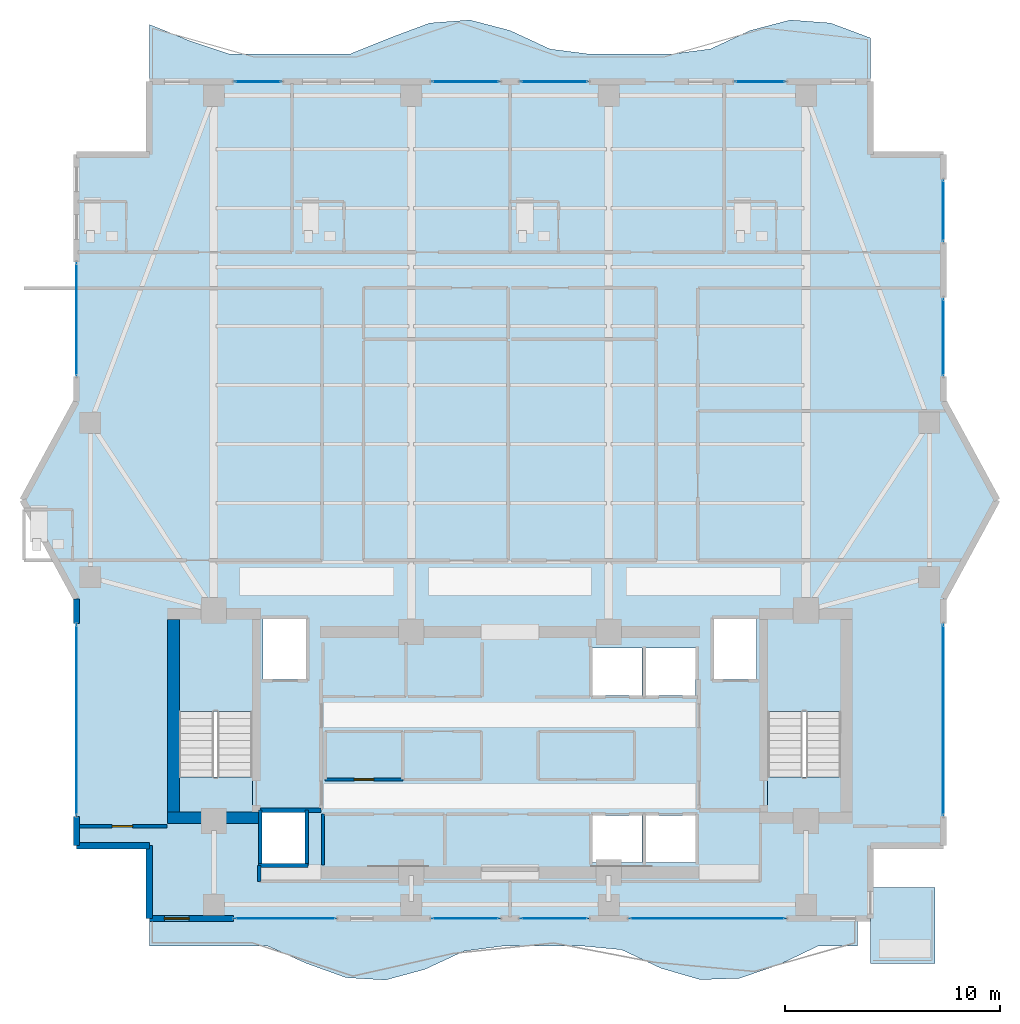
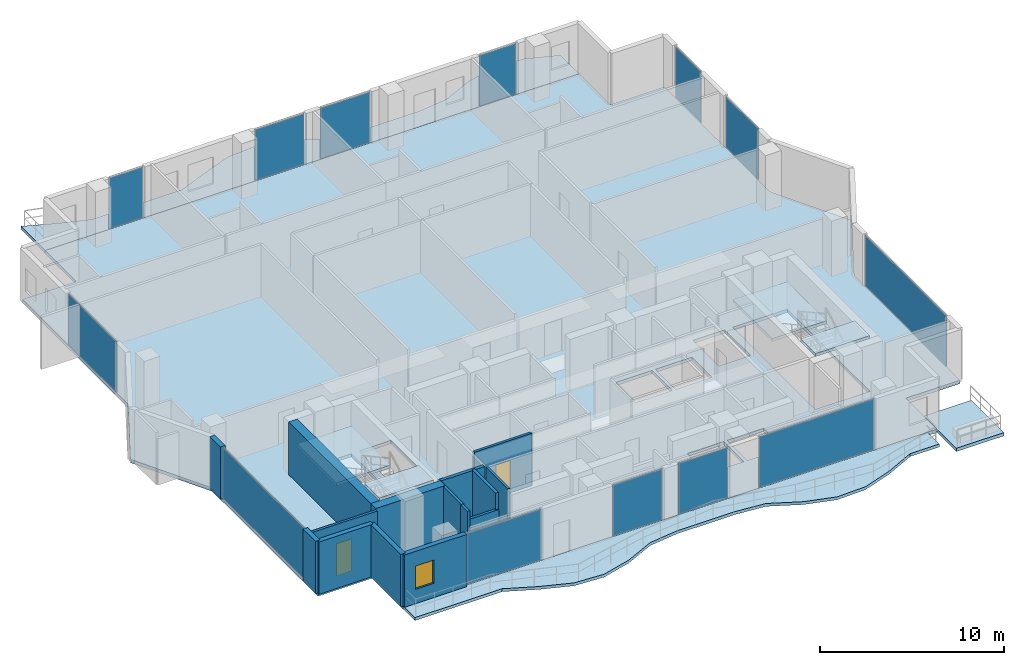
# One storey, part 18 of 25: 15 walls, 13 plates, 8 slabs, 2 doors, 1 window, 3 openings, 15 elements without a shape of their own.
"""IFC4 building model written with IfcOpenShell, lengths in metres."""

from ifc_helpers import new_model, si_unit, direction, frame, frame_2d, origin, origin_2d, place, context, subcontext, project, spatial, polyline, rectangle, outline, extrude, material, layer, layer_set, type_object, element, fill, aggregate, save


model = new_model("IFC4")

# Units and contexts
model_context = context("Model", 3, precision=1e-05, world=origin(), true_north=direction((0.0, 1.0)))
body_context = subcontext(model_context, "Body", "Model", "MODEL_VIEW")
ifc_project = project(units=[si_unit("LENGTHUNIT", "METRE"), si_unit("AREAUNIT", "SQUARE_METRE"), si_unit("VOLUMEUNIT", "CUBIC_METRE"), si_unit("PLANEANGLEUNIT", "RADIAN"), si_unit("MASSUNIT", "GRAM", prefix="KILO")], contexts=[model_context])

# Site, building, storey
site_placement = place(None, origin())
site = spatial("IfcSite", under=ifc_project, at=site_placement, CompositionType="ELEMENT")
building_placement = place(site_placement, origin())
building = spatial("IfcBuilding", under=site, at=building_placement, Name="Zuhayl Quay Hotel", CompositionType="ELEMENT")
storey_placement = place(building_placement, frame((0.0, 0.0, 250.75)))
storey = spatial("IfcBuildingStorey", under=building, at=storey_placement, Name="L63", CompositionType="ELEMENT", Elevation=250.75)

# Curtain wall, plate
ifc_material_1 = material(Name="Anodised Aluminium 6063-T6", Category="aluminium")
ifc_layer_1 = layer(ifc_material_1, 0.169921875, Name="Anodised Aluminium 6063-T6", Category="aluminium")
ifc_layer_set_1 = layer_set([ifc_layer_1], Name="Anodised Aluminium 6063-T6")
curtain_wall_type = type_object("IfcCurtainWallType", Name="CW_SYS_Z4", PredefinedType="USERDEFINED", material=ifc_layer_set_1)
curtain_wall_1_placement = place(storey_placement, origin())
curtain_wall_1 = element("IfcCurtainWall", 1, at=curtain_wall_1_placement, inside=storey, type_object=curtain_wall_type, Name="L63 Curtain Wall ENV_L63_E02_CW1", ObjectType="UNITISED CURTAIN WALL", PredefinedType="USERDEFINED")
ifc_material_2 = material(Name="Dark Ceramic-Fritted Solar Glass", Category="glass")
ifc_layer_2 = layer(ifc_material_2, 0.035888671875, Name="Dark Ceramic-Fritted Solar Glass", Category="glass")
ifc_layer_set_2 = layer_set([ifc_layer_2], Name="Dark Ceramic-Fritted Solar Glass")
plate_type = type_object("IfcPlateType", Name="PN_DARK_FRIT_Z1", PredefinedType="CURTAIN_PANEL", material=ifc_layer_set_2)
plate_1_placement = place(storey_placement, frame((-20.199951171875, 9.25, 0.054931640625), z_axis=(0.0, 0.0, 1.0), x_axis=(0.0, 1.0, 0.0)))
plate_1 = element("IfcPlate", 2, at=plate_1_placement, type_object=plate_type, Name="CW-Z4 panel 1.1", PredefinedType="CURTAIN_PANEL", context=body_context, shape_type="SweptSolid", body=[
    extrude(rectangle(XDim=8.8701171875, YDim=0.035888671875, at=origin_2d()), origin(), (0.0, 0.0, 1.0), 3.3701171875),
])
aggregate(curtain_wall_1, [plate_1])

curtain_wall_2_placement = place(storey_placement, origin())
curtain_wall_2 = element("IfcCurtainWall", 3, at=curtain_wall_2_placement, inside=storey, type_object=curtain_wall_type, Name="L63 Curtain Wall ENV_L63_E05_CW1", ObjectType="UNITISED CURTAIN WALL", PredefinedType="USERDEFINED")
plate_2_placement = place(storey_placement, frame((-20.199951171875, 27.925048828125, 0.054931640625), z_axis=(0.0, 0.0, 1.0), x_axis=(0.0, 1.0, 0.0)))
plate_2 = element("IfcPlate", 4, at=plate_2_placement, type_object=plate_type, Name="CW-Z4 panel 1.1", PredefinedType="CURTAIN_PANEL", context=body_context, shape_type="SweptSolid", body=[
    extrude(rectangle(XDim=5.219970703125, YDim=0.035888671875, at=origin_2d()), origin(), (0.0, 0.0, 1.0), 3.3701171875),
])
aggregate(curtain_wall_2, [plate_2])

curtain_wall_3_placement = place(storey_placement, origin())
curtain_wall_3 = element("IfcCurtainWall", 5, at=curtain_wall_3_placement, inside=storey, type_object=curtain_wall_type, Name="L63 Curtain Wall ENV_L63_N_CW1", ObjectType="UNITISED CURTAIN WALL", PredefinedType="USERDEFINED")
plate_3_placement = place(storey_placement, frame((-11.739990234375, 39.0, 0.054931640625), z_axis=(0.0, 0.0, 1.0), x_axis=(1.0, 0.0, 0.0)))
plate_3 = element("IfcPlate", 6, at=plate_3_placement, type_object=plate_type, Name="CW-Z4 panel 1.1", PredefinedType="CURTAIN_PANEL", context=body_context, shape_type="SweptSolid", body=[
    extrude(rectangle(XDim=2.14990234375, YDim=0.035888671875, at=origin_2d()), origin(), (0.0, 0.0, 1.0), 3.3701171875),
])
aggregate(curtain_wall_3, [plate_3])

curtain_wall_4_placement = place(storey_placement, origin())
curtain_wall_4 = element("IfcCurtainWall", 7, at=curtain_wall_4_placement, inside=storey, type_object=curtain_wall_type, Name="L63 Curtain Wall ENV_L63_N_CW2", ObjectType="UNITISED CURTAIN WALL", PredefinedType="USERDEFINED")
plate_4_placement = place(storey_placement, frame((-2.06494140625, 39.0, 0.054931640625), z_axis=(0.0, 0.0, 1.0), x_axis=(1.0, 0.0, 0.0)))
plate_4 = element("IfcPlate", 8, at=plate_4_placement, type_object=plate_type, Name="CW-Z4 panel 1.1", PredefinedType="CURTAIN_PANEL", context=body_context, shape_type="SweptSolid", body=[
    extrude(rectangle(XDim=3.10009765625, YDim=0.035888671875, at=origin_2d()), origin(), (0.0, 0.0, 1.0), 3.3701171875),
])
aggregate(curtain_wall_4, [plate_4])

curtain_wall_5_placement = place(storey_placement, origin())
curtain_wall_5 = element("IfcCurtainWall", 9, at=curtain_wall_5_placement, inside=storey, type_object=curtain_wall_type, Name="L63 Curtain Wall ENV_L63_N_CW3", ObjectType="UNITISED CURTAIN WALL", PredefinedType="USERDEFINED")
plate_5_placement = place(storey_placement, frame((2.06494140625, 39.0, 0.054931640625), z_axis=(0.0, 0.0, 1.0), x_axis=(1.0, 0.0, 0.0)))
plate_5 = element("IfcPlate", 10, at=plate_5_placement, type_object=plate_type, Name="CW-Z4 panel 1.1", PredefinedType="CURTAIN_PANEL", context=body_context, shape_type="SweptSolid", body=[
    extrude(rectangle(XDim=3.10009765625, YDim=0.035888671875, at=origin_2d()), origin(), (0.0, 0.0, 1.0), 3.3701171875),
])
aggregate(curtain_wall_5, [plate_5])

curtain_wall_6_placement = place(storey_placement, origin())
curtain_wall_6 = element("IfcCurtainWall", 11, at=curtain_wall_6_placement, inside=storey, type_object=curtain_wall_type, Name="L63 Curtain Wall ENV_L63_N_CW4", ObjectType="UNITISED CURTAIN WALL", PredefinedType="USERDEFINED")
plate_6_placement = place(storey_placement, frame((11.659912109375, 39.0, 0.054931640625), z_axis=(0.0, 0.0, 1.0), x_axis=(1.0, 0.0, 0.0)))
plate_6 = element("IfcPlate", 12, at=plate_6_placement, type_object=plate_type, Name="CW-Z4 panel 1.1", PredefinedType="CURTAIN_PANEL", context=body_context, shape_type="SweptSolid", body=[
    extrude(rectangle(XDim=2.31005859375, YDim=0.035888671875, at=origin_2d()), origin(), (0.0, 0.0, 1.0), 3.3701171875),
])
aggregate(curtain_wall_6, [plate_6])

curtain_wall_7_placement = place(storey_placement, origin())
curtain_wall_7 = element("IfcCurtainWall", 13, at=curtain_wall_7_placement, inside=storey, type_object=curtain_wall_type, Name="L63 Curtain Wall ENV_L63_E11_CW1", ObjectType="UNITISED CURTAIN WALL", PredefinedType="USERDEFINED")
plate_7_placement = place(storey_placement, frame((20.199951171875, 32.97509765625, 0.054931640625), z_axis=(0.0, 0.0, 1.0), x_axis=(0.0, -1.0, 0.0)))
plate_7 = element("IfcPlate", 14, at=plate_7_placement, type_object=plate_type, Name="CW-Z4 panel 1.1", PredefinedType="CURTAIN_PANEL", context=body_context, shape_type="SweptSolid", body=[
    extrude(rectangle(XDim=2.820068359375, YDim=0.035888671875, at=origin_2d()), origin(), (0.0, 0.0, 1.0), 3.3701171875),
])
aggregate(curtain_wall_7, [plate_7])

curtain_wall_8_placement = place(storey_placement, origin())
curtain_wall_8 = element("IfcCurtainWall", 15, at=curtain_wall_8_placement, inside=storey, type_object=curtain_wall_type, Name="L63 Curtain Wall ENV_L63_E11_CW2", ObjectType="UNITISED CURTAIN WALL", PredefinedType="USERDEFINED")
plate_8_placement = place(storey_placement, frame((20.199951171875, 27.090087890625, 0.054931640625), z_axis=(0.0, 0.0, 1.0), x_axis=(0.0, -1.0, 0.0)))
plate_8 = element("IfcPlate", 16, at=plate_8_placement, type_object=plate_type, Name="CW-Z4 panel 1.1", PredefinedType="CURTAIN_PANEL", context=body_context, shape_type="SweptSolid", body=[
    extrude(rectangle(XDim=3.550048828125, YDim=0.035888671875, at=origin_2d()), origin(), (0.0, 0.0, 1.0), 3.3701171875),
])
aggregate(curtain_wall_8, [plate_8])

curtain_wall_9_placement = place(storey_placement, origin())
curtain_wall_9 = element("IfcCurtainWall", 17, at=curtain_wall_9_placement, inside=storey, type_object=curtain_wall_type, Name="L63 Curtain Wall ENV_L63_E14_CW1", ObjectType="UNITISED CURTAIN WALL", PredefinedType="USERDEFINED")
plate_9_placement = place(storey_placement, frame((20.199951171875, 9.25, 0.054931640625), z_axis=(0.0, 0.0, 1.0), x_axis=(0.0, -1.0, 0.0)))
plate_9 = element("IfcPlate", 18, at=plate_9_placement, type_object=plate_type, Name="CW-Z4 panel 1.1", PredefinedType="CURTAIN_PANEL", context=body_context, shape_type="SweptSolid", body=[
    extrude(rectangle(XDim=8.8701171875, YDim=0.035888671875, at=origin_2d()), origin(), (0.0, 0.0, 1.0), 3.3701171875),
])
aggregate(curtain_wall_9, [plate_9])

curtain_wall_10_placement = place(storey_placement, origin())
curtain_wall_10 = element("IfcCurtainWall", 19, at=curtain_wall_10_placement, inside=storey, type_object=curtain_wall_type, Name="L63 Curtain Wall ENV_L63_S_CW1", ObjectType="UNITISED CURTAIN WALL", PredefinedType="USERDEFINED")
plate_10_placement = place(storey_placement, frame((9.199951171875, 0.0, 0.054931640625), z_axis=(0.0, 0.0, 1.0), x_axis=(-1.0, 0.0, 0.0)))
plate_10 = element("IfcPlate", 20, at=plate_10_placement, type_object=plate_type, Name="CW-Z4 panel 1.1", PredefinedType="CURTAIN_PANEL", context=body_context, shape_type="SweptSolid", body=[
    extrude(rectangle(XDim=7.22998046875, YDim=0.035888671875, at=origin_2d()), origin(), (0.0, 0.0, 1.0), 3.3701171875),
])
aggregate(curtain_wall_10, [plate_10])

curtain_wall_11_placement = place(storey_placement, origin())
curtain_wall_11 = element("IfcCurtainWall", 21, at=curtain_wall_11_placement, inside=storey, type_object=curtain_wall_type, Name="L63 Curtain Wall ENV_L63_S_CW2", ObjectType="UNITISED CURTAIN WALL", PredefinedType="USERDEFINED")
plate_11_placement = place(storey_placement, frame((2.06494140625, 0.0, 0.054931640625), z_axis=(0.0, 0.0, 1.0), x_axis=(-1.0, 0.0, 0.0)))
plate_11 = element("IfcPlate", 22, at=plate_11_placement, type_object=plate_type, Name="CW-Z4 panel 1.1", PredefinedType="CURTAIN_PANEL", context=body_context, shape_type="SweptSolid", body=[
    extrude(rectangle(XDim=3.10009765625, YDim=0.035888671875, at=origin_2d()), origin(), (0.0, 0.0, 1.0), 3.3701171875),
])
aggregate(curtain_wall_11, [plate_11])

curtain_wall_12_placement = place(storey_placement, origin())
curtain_wall_12 = element("IfcCurtainWall", 23, at=curtain_wall_12_placement, inside=storey, type_object=curtain_wall_type, Name="L63 Curtain Wall ENV_L63_S_CW3", ObjectType="UNITISED CURTAIN WALL", PredefinedType="USERDEFINED")
plate_12_placement = place(storey_placement, frame((-2.06494140625, 0.0, 0.054931640625), z_axis=(0.0, 0.0, 1.0), x_axis=(-1.0, 0.0, 0.0)))
plate_12 = element("IfcPlate", 24, at=plate_12_placement, type_object=plate_type, Name="CW-Z4 panel 1.1", PredefinedType="CURTAIN_PANEL", context=body_context, shape_type="SweptSolid", body=[
    extrude(rectangle(XDim=3.10009765625, YDim=0.035888671875, at=origin_2d()), origin(), (0.0, 0.0, 1.0), 3.3701171875),
])
aggregate(curtain_wall_12, [plate_12])

curtain_wall_13_placement = place(storey_placement, origin())
curtain_wall_13 = element("IfcCurtainWall", 25, at=curtain_wall_13_placement, inside=storey, type_object=curtain_wall_type, Name="L63 Curtain Wall ENV_L63_S_CW4", ObjectType="UNITISED CURTAIN WALL", PredefinedType="USERDEFINED")
plate_13_placement = place(storey_placement, frame((-10.4775390625, 0.0, 0.054931640625), z_axis=(0.0, 0.0, 1.0), x_axis=(-1.0, 0.0, 0.0)))
plate_13 = element("IfcPlate", 26, at=plate_13_placement, type_object=plate_type, Name="CW-Z4 panel 1.1", PredefinedType="CURTAIN_PANEL", context=body_context, shape_type="SweptSolid", body=[
    extrude(rectangle(XDim=4.675048828125, YDim=0.035888671875, at=origin_2d()), origin(), (0.0, 0.0, 1.0), 3.3701171875),
])
aggregate(curtain_wall_13, [plate_13])

# Slabs
ifc_material_3 = material(Name="Concrete C45/55", Category="concrete")
ifc_layer_3 = layer(ifc_material_3, 0.195068359375, Name="Concrete C45/55", Category="concrete")
ifc_layer_set_3 = layer_set([ifc_layer_3], Name="Concrete C45/55")
slab_type_1 = type_object("IfcSlabType", Name="SL_BALCONY_195", PredefinedType="FLOOR", material=ifc_layer_set_3)
slab_1_placement = place(storey_placement, frame((0.0, 0.0, -0.195068359375)))
element("IfcSlab", 27, at=slab_1_placement, inside=storey, type_object=slab_type_1, Name="L63 Exterior Rippling Balcony Slab North", PredefinedType="FLOOR", context=body_context, shape_type="SweptSolid", body=[
    extrude(outline(polyline([(-16.800048828125, 39.0), (16.800048828125, 39.0), (16.800048828125, 41.036376953125), (14.933349609375, 41.732421875), (13.066650390625, 41.872802734375), (11.199951171875, 41.384765625), (9.333251953125, 40.519287109375), (7.466796875, 40.280029296875), (5.60009765625, 40.280029296875), (3.7333984375, 40.280029296875), (1.86669921875, 40.519287109375), (0.0, 41.384765625), (-1.86669921875, 41.872802734375), (-3.7333984375, 41.732421875), (-5.60009765625, 41.036376953125), (-7.466796875, 40.280029296875), (-9.333251953125, 40.280029296875), (-11.199951171875, 40.280029296875), (-13.066650390625, 40.280029296875), (-14.933349609375, 40.909912109375), (-16.800048828125, 41.661376953125), (-16.800048828125, 39.0)])), origin(), (0.0, 0.0, 1.0), 0.195068359375),
])
slab_2_placement = place(storey_placement, frame((0.0, 0.0, -0.195068359375)))
element("IfcSlab", 28, at=slab_2_placement, inside=storey, type_object=slab_type_1, Name="L63 Exterior Rippling Balcony Slab South", PredefinedType="FLOOR", context=body_context, shape_type="SweptSolid", body=[
    extrude(outline(polyline([(-16.800048828125, -1.280029296875), (-14.966796875, -1.280029296875), (-13.13330078125, -1.280029296875), (-11.300048828125, -1.280029296875), (-9.466796875, -2.097900390625), (-7.63330078125, -2.756103515625), (-5.800048828125, -2.865478515625), (-3.966796875, -2.371337890625), (-2.13330078125, -1.519287109375), (-0.300048828125, -1.280029296875), (1.533203125, -1.280029296875), (3.36669921875, -1.280029296875), (5.199951171875, -1.45458984375), (7.033203125, -2.31689453125), (8.86669921875, -2.848388671875), (10.699951171875, -2.78515625), (12.533203125, -2.158447265625), (14.36669921875, -1.280029296875), (16.199951171875, -1.280029296875), (16.199951171875, 0.0), (-16.800048828125, 0.0), (-16.800048828125, -1.280029296875)])), origin(), (0.0, 0.0, 1.0), 0.195068359375),
])
ifc_layer_4 = layer(ifc_material_3, 0.219970703125, Name="Concrete C45/55", Category="concrete")
ifc_layer_set_4 = layer_set([ifc_layer_4], Name="Concrete C45/55")
slab_type_2 = type_object("IfcSlabType", Name="SL_FLOOR_220", PredefinedType="FLOOR", material=ifc_layer_set_4)
slab_3_placement = place(storey_placement, frame((0.0, 0.0, -0.219970703125)))
element("IfcSlab", 29, at=slab_3_placement, inside=storey, type_object=slab_type_2, Name="L63 Structural Floor Slab", PredefinedType="FLOOR", context=body_context, shape_type="SweptSolid", body=[
    extrude(outline(polyline([(-16.800048828125, 0.0), (16.800048828125, 0.0), (16.800048828125, 3.39990234375), (20.199951171875, 3.39990234375), (20.199951171875, 14.89990234375), (22.699951171875, 19.5), (20.199951171875, 24.10009765625), (20.199951171875, 35.60009765625), (16.800048828125, 35.60009765625), (16.800048828125, 39.0), (-16.800048828125, 39.0), (-16.800048828125, 35.60009765625), (-20.199951171875, 35.60009765625), (-20.199951171875, 24.10009765625), (-22.699951171875, 19.5), (-20.199951171875, 14.89990234375), (-20.199951171875, 3.39990234375), (-16.800048828125, 3.39990234375), (-16.800048828125, 0.0)]), holes=[polyline([(-12.0, 4.949951171875), (-12.0, 13.949951171875), (-15.429931640625, 13.949951171875), (-15.429931640625, 4.949951171875), (-12.0, 4.949951171875)]), polyline([(15.429931640625, 4.949951171875), (15.429931640625, 13.949951171875), (12.0, 13.949951171875), (12.0, 4.949951171875), (15.429931640625, 4.949951171875)]), polyline([(-11.5, 11.14990234375), (-9.5, 11.14990234375), (-9.5, 13.949951171875), (-11.5, 13.949951171875), (-11.5, 11.14990234375)]), polyline([(9.5, 11.14990234375), (11.5, 11.14990234375), (11.5, 13.949951171875), (9.5, 13.949951171875), (9.5, 11.14990234375)]), polyline([(3.85009765625, 2.60009765625), (6.14990234375, 2.60009765625), (6.14990234375, 4.800048828125), (3.85009765625, 4.800048828125), (3.85009765625, 2.60009765625)]), polyline([(6.35009765625, 2.60009765625), (8.64990234375, 2.60009765625), (8.64990234375, 4.800048828125), (6.35009765625, 4.800048828125), (6.35009765625, 2.60009765625)]), polyline([(3.85009765625, 10.39990234375), (6.14990234375, 10.39990234375), (6.14990234375, 12.60009765625), (3.85009765625, 12.60009765625), (3.85009765625, 10.39990234375)]), polyline([(6.35009765625, 10.39990234375), (8.64990234375, 10.39990234375), (8.64990234375, 12.60009765625), (6.35009765625, 12.60009765625), (6.35009765625, 10.39990234375)]), polyline([(-11.550048828125, 2.550048828125), (-9.550048828125, 2.550048828125), (-9.550048828125, 4.949951171875), (-11.550048828125, 4.949951171875), (-11.550048828125, 2.550048828125)])]), origin(), (0.0, 0.0, 1.0), 0.219970703125),
])

# Stair, slabs
stair_type = type_object("IfcStairType", Name="ST_DOGLEG_TOWER", PredefinedType="HALF_TURN_STAIR", material=ifc_material_3)
stair_1_placement = place(storey_placement, origin())
stair_1 = element("IfcStair", 30, at=stair_1_placement, inside=storey, type_object=stair_type, Name="L63 Smokeproof Exit Stair ST1", PredefinedType="HALF_TURN_STAIR")
ifc_layer_5 = layer(ifc_material_3, 0.199951171875, Name="Concrete C45/55", Category="concrete")
ifc_layer_set_5 = layer_set([ifc_layer_5], Name="Concrete C45/55")
slab_type_3 = type_object("IfcSlabType", Name="SL_STAIR_LANDING_200", PredefinedType="LANDING", material=ifc_layer_set_5)
slab_4_placement = place(storey_placement, frame((0.0, 0.0, 1.64990234375)))
slab_4 = element("IfcSlab", 31, at=slab_4_placement, type_object=slab_type_3, Name="ST1 landing 1", PredefinedType="LANDING", context=body_context, shape_type="SweptSolid", body=[
    extrude(outline(polyline([(-12.0, 9.64990234375), (-12.0, 13.949951171875), (-15.429931640625, 13.949951171875), (-15.429931640625, 9.64990234375), (-12.0, 9.64990234375)])), origin(), (0.0, 0.0, 1.0), 0.2001953125),
])
slab_5_placement = place(storey_placement, frame((0.0, 0.0, 3.5)))
slab_5 = element("IfcSlab", 32, at=slab_5_placement, type_object=slab_type_3, Name="ST1 landing 2", PredefinedType="LANDING", context=body_context, shape_type="SweptSolid", body=[
    extrude(outline(polyline([(-12.0, 4.949951171875), (-12.0, 6.590087890625), (-15.429931640625, 6.590087890625), (-15.429931640625, 4.949951171875), (-12.0, 4.949951171875)])), origin(), (0.0, 0.0, 1.0), 0.199951171875),
])
aggregate(stair_1, [slab_4, slab_5])

stair_2_placement = place(storey_placement, origin())
stair_2 = element("IfcStair", 33, at=stair_2_placement, inside=storey, type_object=stair_type, Name="L63 Smokeproof Exit Stair ST2", PredefinedType="HALF_TURN_STAIR")
slab_6_placement = place(storey_placement, frame((0.0, 0.0, 1.64990234375)))
slab_6 = element("IfcSlab", 34, at=slab_6_placement, type_object=slab_type_3, Name="ST2 landing 1", PredefinedType="LANDING", context=body_context, shape_type="SweptSolid", body=[
    extrude(outline(polyline([(15.429931640625, 9.64990234375), (15.429931640625, 13.949951171875), (12.0, 13.949951171875), (12.0, 9.64990234375), (15.429931640625, 9.64990234375)])), origin(), (0.0, 0.0, 1.0), 0.2001953125),
])
slab_7_placement = place(storey_placement, frame((0.0, 0.0, 3.5)))
slab_7 = element("IfcSlab", 35, at=slab_7_placement, type_object=slab_type_3, Name="ST2 landing 2", PredefinedType="LANDING", context=body_context, shape_type="SweptSolid", body=[
    extrude(outline(polyline([(15.429931640625, 4.949951171875), (15.429931640625, 6.590087890625), (12.0, 6.590087890625), (12.0, 4.949951171875), (15.429931640625, 4.949951171875)])), origin(), (0.0, 0.0, 1.0), 0.199951171875),
])
aggregate(stair_2, [slab_6, slab_7])

# Slab
ifc_layer_6 = layer(ifc_material_3, 0.219970703125, Name="Concrete C45/55", Category="concrete")
ifc_layer_set_6 = layer_set([ifc_layer_6], Name="Concrete C45/55")
slab_type_4 = type_object("IfcSlabType", Name="SL_TERRACE_235", PredefinedType="FLOOR", material=ifc_layer_set_6)
slab_8_placement = place(storey_placement, frame((0.0, 0.0, -0.219970703125)))
element("IfcSlab", 36, at=slab_8_placement, inside=storey, type_object=slab_type_4, Name="L63 Exterior Sky-Terrace Slab L63_SPIRAL_SE", PredefinedType="FLOOR", context=body_context, shape_type="SweptSolid", body=[
    extrude(outline(polyline([(16.800048828125, -2.10009765625), (19.800048828125, -2.10009765625), (19.800048828125, 1.449951171875), (16.800048828125, 1.449951171875), (16.800048828125, -2.10009765625)])), origin(), (0.0, 0.0, 1.0), 0.219970703125),
])

# Walls
ifc_material_4 = material(Name="Concrete C50/60", Category="concrete")
ifc_layer_7 = layer(ifc_material_4, 0.550048828125, Name="Concrete C50/60", Category="concrete")
ifc_layer_set_7 = layer_set([ifc_layer_7], Name="Concrete C50/60")
wall_type_1 = type_object("IfcWallType", Name="WL_CORE_550", PredefinedType="SHEAR", material=ifc_layer_set_7)
wall_1_placement = place(storey_placement, frame((-15.68505859375, 4.969970703125, 0.0), z_axis=(0.0, 0.0, 1.0), x_axis=(0.0, 1.0, 0.0)))
element("IfcWall", 37, at=wall_1_placement, inside=storey, type_object=wall_type_1, Name="L63 Core Shear Wall CW_W", PredefinedType="SHEAR", context=body_context, shape_type="SweptSolid", body=[
    extrude(rectangle(XDim=8.9599609375, YDim=0.550048828125, at=frame_2d((4.47998046875, 0.0))), origin(), (0.0, 0.0, 1.0), 3.510009765625),
])
wall_2_placement = place(storey_placement, frame((-15.9599609375, 4.695068359375, 0.0), z_axis=(0.0, 0.0, 1.0), x_axis=(1.0, 0.0, 0.0)))
element("IfcWall", 38, at=wall_2_placement, inside=storey, type_object=wall_type_1, Name="L63 Core Shear Wall CW_SW", PredefinedType="SHEAR", context=body_context, shape_type="SweptSolid", body=[
    extrude(rectangle(XDim=4.35986328125, YDim=0.550048828125, at=frame_2d((2.179931640625, 0.0))), origin(), (0.0, 0.0, 1.0), 3.510009765625),
])
ifc_material_5 = material(Name="Precast concrete C45/55", Category="concrete")
ifc_layer_8 = layer(ifc_material_5, 0.300048828125, Name="Precast concrete C45/55", Category="concrete")
ifc_layer_set_8 = layer_set([ifc_layer_8], Name="Precast concrete C45/55")
wall_type_2 = type_object("IfcWallType", Name="WL_EXT_300", PredefinedType="STANDARD", material=ifc_layer_set_8)
wall_3_placement = place(storey_placement, frame((-16.800048828125, 3.39990234375, 0.0), z_axis=(0.0, 0.0, 1.0), x_axis=(-1.0, 0.0, 0.0)))
element("IfcWall", 39, at=wall_3_placement, inside=storey, type_object=wall_type_2, Name="L63 Exterior Precast Wall ENV_L63_EW01", PredefinedType="STANDARD", context=body_context, shape_type="SweptSolid", body=[
    extrude(rectangle(XDim=3.39990234375, YDim=0.300048828125, at=frame_2d((1.699951171875, 0.0))), origin(), (0.0, 0.0, 1.0), 3.47998046875),
])
wall_4_placement = place(storey_placement, frame((-20.199951171875, 3.39990234375, 0.0), z_axis=(0.0, 0.0, 1.0), x_axis=(0.0, 1.0, 0.0)))
element("IfcWall", 40, at=wall_4_placement, inside=storey, type_object=wall_type_2, Name="L63 Exterior Precast Wall ENV_L63_E02_EW1", PredefinedType="STANDARD", context=body_context, shape_type="SweptSolid", body=[
    extrude(rectangle(XDim=1.35009765625, YDim=0.300048828125, at=frame_2d((0.675048828125, 0.0))), origin(), (0.0, 0.0, 1.0), 3.47998046875),
])
wall_5_placement = place(storey_placement, frame((-20.199951171875, 13.75, 0.0), z_axis=(0.0, 0.0, 1.0), x_axis=(0.0, 1.0, 0.0)))
element("IfcWall", 41, at=wall_5_placement, inside=storey, type_object=wall_type_2, Name="L63 Exterior Precast Wall ENV_L63_E02_EW2", PredefinedType="STANDARD", context=body_context, shape_type="SweptSolid", body=[
    extrude(rectangle(XDim=1.14990234375, YDim=0.300048828125, at=frame_2d((0.574951171875, 0.0))), origin(), (0.0, 0.0, 1.0), 3.47998046875),
])

# Wall, opening, window
wall_6_placement = place(storey_placement, frame((-12.8798828125, 0.0, 0.0), z_axis=(0.0, 0.0, 1.0), x_axis=(-1.0, 0.0, 0.0)))
wall_6 = element("IfcWall", 42, at=wall_6_placement, inside=storey, type_object=wall_type_2, Name="L63 Exterior Precast Wall ENV_L63_S_EW5", PredefinedType="STANDARD", context=body_context, shape_type="SweptSolid", body=[
    extrude(rectangle(XDim=3.920166015625, YDim=0.300048828125, at=frame_2d((1.9599609375, 0.0))), origin(), (0.0, 0.0, 1.0), 3.47998046875),
])
opening_1_placement = place(wall_6_placement, frame((2.074951171875, 0.0, 0.949951171875)))
opening_1 = element("IfcOpeningElement", 43, at=opening_1_placement, cuts=wall_6, Name="Opening W01N", PredefinedType="OPENING", context=body_context, shape_type="SweptSolid", body=[
    extrude(rectangle(XDim=1.14990234375, YDim=1.550048828125, at=frame_2d((0.574951171875, 0.77490234375))), frame((0.0, 0.159912109375, 0.0), z_axis=(0.0, -1.0, 0.0), x_axis=(1.0, 0.0, 0.0)), (0.0, 0.0, 1.0), 0.320068359375),
])
window_type = type_object("IfcWindowType", Name="WN_NOTCH_1350", PartitioningType="SINGLE_PANEL", PredefinedType="WINDOW", material=ifc_material_2)
window_placement = place(opening_1_placement, origin())
window = element("IfcWindow", 44, at=window_placement, inside=storey, type_object=window_type, Name="L63 Operable Facade Window 5-1", OverallHeight=1.550048828125, OverallWidth=1.14990234375, PartitioningType="SINGLE_PANEL", PredefinedType="WINDOW", context=body_context, shape_type="SweptSolid", body=[
    extrude(rectangle(XDim=1.14990234375, YDim=1.550048828125, at=frame_2d((0.574951171875, 0.77490234375))), frame((0.0, 0.030029296875, 0.0), z_axis=(0.0, -1.0, 0.0), x_axis=(1.0, 0.0, 0.0)), (0.0, 0.0, 1.0), 0.06005859375),
])
fill(opening_1, window)

# Wall
wall_7_placement = place(storey_placement, frame((-16.800048828125, 0.0, 0.0), z_axis=(0.0, 0.0, 1.0), x_axis=(0.0, 1.0, 0.0)))
element("IfcWall", 45, at=wall_7_placement, inside=storey, type_object=wall_type_2, Name="L63 Exterior Precast Wall ENV_L63_EW18", PredefinedType="STANDARD", context=body_context, shape_type="SweptSolid", body=[
    extrude(rectangle(XDim=3.39990234375, YDim=0.300048828125, at=frame_2d((1.699951171875, 0.0))), origin(), (0.0, 0.0, 1.0), 3.47998046875),
])

# Wall, opening, door
ifc_material_6 = material(Name="Acoustic Gypsum Partition STC-58")
ifc_layer_9 = layer(ifc_material_6, 0.14990234375, Name="Acoustic Gypsum Partition STC-58")
ifc_layer_set_9 = layer_set([ifc_layer_9], Name="Acoustic Gypsum Partition STC-58")
wall_type_3 = type_object("IfcWallType", Name="WL_PART_150", PredefinedType="PARTITIONING", material=ifc_layer_set_9)
wall_8_placement = place(storey_placement, frame((-8.610107421875, 6.47998046875, 0.0), z_axis=(0.0, 0.0, 1.0), x_axis=(1.0, 0.0, 0.0)))
wall_8 = element("IfcWall", 46, at=wall_8_placement, inside=storey, type_object=wall_type_3, Name="L63 Partition IW_L63_CORE_SW_S", PredefinedType="PARTITIONING", context=body_context, shape_type="SweptSolid", body=[
    extrude(rectangle(XDim=3.6201171875, YDim=0.14990234375, at=frame_2d((1.81005859375, 0.0))), origin(), (0.0, 0.0, 1.0), 3.47998046875),
])
opening_2_placement = place(wall_8_placement, frame((1.360107421875, 0.0, 0.0)))
opening_2 = element("IfcOpeningElement", 47, at=opening_2_placement, cuts=wall_8, Name="Opening D06", PredefinedType="OPENING", context=body_context, shape_type="SweptSolid", body=[
    extrude(rectangle(XDim=0.89990234375, YDim=2.14990234375, at=frame_2d((0.449951171875, 1.074951171875))), frame((0.0, 0.0849609375, 0.0), z_axis=(0.0, -1.0, 0.0), x_axis=(1.0, 0.0, 0.0)), (0.0, 0.0, 1.0), 0.169921875),
])
ifc_material_7 = material(Name="Steel ASTM A992 Grade 50", Category="steel")
door_type_1 = type_object("IfcDoorType", Name="DR_INT_900", OperationType="NOTDEFINED", PredefinedType="DOOR", material=ifc_material_7)
door_1_placement = place(opening_2_placement, origin())
door_1 = element("IfcDoor", 48, at=door_1_placement, inside=storey, type_object=door_type_1, Name="L63 Floor Switchgear Closet Door", OperationType="SINGLE_SWING_RIGHT", OverallHeight=2.14990234375, OverallWidth=0.89990234375, PredefinedType="DOOR", context=body_context, shape_type="SweptSolid", body=[
    extrude(rectangle(XDim=0.89990234375, YDim=2.14990234375, at=frame_2d((0.449951171875, 1.074951171875))), frame((0.0, 0.02490234375, 0.0), z_axis=(0.0, -1.0, 0.0), x_axis=(1.0, 0.0, 0.0)), (0.0, 0.0, 1.0), 0.050048828125),
])
fill(opening_2, door_1)

# Walls
wall_9_placement = place(storey_placement, frame((-8.7099609375, 2.489990234375, 0.0), z_axis=(0.0, 0.0, 1.0), x_axis=(0.0, 1.0, 0.0)))
element("IfcWall", 49, at=wall_9_placement, inside=storey, type_object=wall_type_3, Name="L63 Partition IW_L63_FMP_SW_W", PredefinedType="PARTITIONING", context=body_context, shape_type="SweptSolid", body=[
    extrude(rectangle(XDim=2.3701171875, YDim=0.14990234375, at=frame_2d((1.18505859375, 0.0))), origin(), (0.0, 0.0, 1.0), 3.47998046875),
])
wall_10_placement = place(storey_placement, frame((-11.679931640625, 1.719970703125, 0.0), z_axis=(0.0, 0.0, 1.0), x_axis=(0.0, 1.0, 0.0)))
element("IfcWall", 50, at=wall_10_placement, inside=storey, type_object=wall_type_3, Name="L63 Partition IW_L63_Z4_SUN_SW_IN", PredefinedType="PARTITIONING", context=body_context, shape_type="SweptSolid", body=[
    extrude(rectangle(XDim=0.75, YDim=0.14990234375, at=frame_2d((0.375, 0.0))), origin(), (0.0, 0.0, 1.0), 3.47998046875),
])

# Wall, opening, door
ifc_layer_10 = layer(ifc_material_6, 0.159912109375, Name="Acoustic Gypsum Partition STC-58")
ifc_layer_set_10 = layer_set([ifc_layer_10], Name="Acoustic Gypsum Partition STC-58")
wall_type_4 = type_object("IfcWallType", Name="WL_PART_CORR_160", PredefinedType="PARTITIONING", material=ifc_layer_set_10)
wall_11_placement = place(storey_placement, frame((-20.139892578125, 4.300048828125, 0.0), z_axis=(0.0, 0.0, 1.0), x_axis=(1.0, 0.0, 0.0)))
wall_11 = element("IfcWall", 51, at=wall_11_placement, inside=storey, type_object=wall_type_4, Name="L63 Partition IW_L63_Z4_SUN_SW_N", PredefinedType="PARTITIONING", context=body_context, shape_type="SweptSolid", body=[
    extrude(rectangle(XDim=4.159912109375, YDim=0.159912109375, at=frame_2d((2.080078125, 0.0))), origin(), (0.0, 0.0, 1.0), 3.47998046875),
])
opening_3_placement = place(wall_11_placement, frame((1.60498046875, 0.0, 0.0)))
opening_3 = element("IfcOpeningElement", 52, at=opening_3_placement, cuts=wall_11, Name="Opening D03", PredefinedType="OPENING", context=body_context, shape_type="SweptSolid", body=[
    extrude(rectangle(XDim=0.949951171875, YDim=2.14990234375, at=frame_2d((0.47509765625, 1.074951171875))), frame((0.0, 0.08984375, 0.0), z_axis=(0.0, -1.0, 0.0), x_axis=(1.0, 0.0, 0.0)), (0.0, 0.0, 1.0), 0.179931640625),
])
ifc_material_8 = material(Name="Solid Walnut Acoustic Fire Door")
door_type_2 = type_object("IfcDoorType", Name="DR_SUITE_950", OperationType="NOTDEFINED", PredefinedType="DOOR", material=ifc_material_8)
door_2_placement = place(opening_3_placement, origin())
door_2 = element("IfcDoor", 53, at=door_2_placement, inside=storey, type_object=door_type_2, Name="L63 Sunset Salon SW Door", OperationType="SINGLE_SWING_LEFT", OverallHeight=2.14990234375, OverallWidth=0.949951171875, PredefinedType="DOOR", context=body_context, shape_type="SweptSolid", body=[
    extrude(rectangle(XDim=0.949951171875, YDim=2.14990234375, at=frame_2d((0.47509765625, 1.074951171875))), frame((0.0, 0.02490234375, 0.0), z_axis=(0.0, -1.0, 0.0), x_axis=(1.0, 0.0, 0.0)), (0.0, 0.0, 1.0), 0.050048828125),
])
fill(opening_3, door_2)

# Walls
ifc_material_9 = material(Name="Gypsum Fireboard Assembly EI-90")
ifc_layer_11 = layer(ifc_material_9, 0.1650390625, Name="Gypsum Fireboard Assembly EI-90")
ifc_layer_set_11 = layer_set([ifc_layer_11], Name="Gypsum Fireboard Assembly EI-90")
wall_type_5 = type_object("IfcWallType", Name="WL_PART_SHAFT_160", PredefinedType="PARTITIONING", material=ifc_layer_set_11)
wall_12_placement = place(storey_placement, frame((-11.6298828125, 2.469970703125, 0.0), z_axis=(0.0, 0.0, 1.0), x_axis=(0.0, 1.0, 0.0)))
element("IfcWall", 54, at=wall_12_placement, inside=storey, type_object=wall_type_5, Name="L63 Partition IW_L63_RISER_W", PredefinedType="PARTITIONING", context=body_context, shape_type="SweptSolid", body=[
    extrude(rectangle(XDim=2.580078125, YDim=0.1650390625, at=frame_2d((1.2900390625, 0.0))), origin(), (0.0, 0.0, 1.0), 3.47998046875),
])
wall_13_placement = place(storey_placement, frame((-11.7099609375, 2.469970703125, 0.0), z_axis=(0.0, 0.0, 1.0), x_axis=(1.0, 0.0, 0.0)))
element("IfcWall", 55, at=wall_13_placement, inside=storey, type_object=wall_type_5, Name="L63 Partition IW_L63_RISER_S", PredefinedType="PARTITIONING", context=body_context, shape_type="SweptSolid", body=[
    extrude(rectangle(XDim=2.31005859375, YDim=0.1650390625, at=frame_2d((1.155029296875, 0.0))), origin(), (0.0, 0.0, 1.0), 2.3798828125),
])
ifc_layer_12 = layer(ifc_material_9, 0.179931640625, Name="Gypsum Fireboard Assembly EI-90")
ifc_layer_set_12 = layer_set([ifc_layer_12], Name="Gypsum Fireboard Assembly EI-90")
wall_type_6 = type_object("IfcWallType", Name="WL_PART_SHAFT_180", PredefinedType="PARTITIONING", material=ifc_layer_set_12)
wall_14_placement = place(storey_placement, frame((-9.469970703125, 2.449951171875, 0.0), z_axis=(0.0, 0.0, 1.0), x_axis=(0.0, 1.0, 0.0)))
element("IfcWall", 56, at=wall_14_placement, inside=storey, type_object=wall_type_6, Name="L63 Partition IW_L63_RISER_E", PredefinedType="PARTITIONING", context=body_context, shape_type="SweptSolid", body=[
    extrude(rectangle(XDim=2.60009765625, YDim=0.179931640625, at=frame_2d((1.300048828125, 0.0))), origin(), (0.0, 0.0, 1.0), 3.47998046875),
])
ifc_material_10 = material(Name="Gypsum Fireboard Assembly EI-120")
ifc_layer_13 = layer(ifc_material_10, 0.199951171875, Name="Gypsum Fireboard Assembly EI-120")
ifc_layer_set_13 = layer_set([ifc_layer_13], Name="Gypsum Fireboard Assembly EI-120")
wall_type_7 = type_object("IfcWallType", Name="WL_PART_SHAFT_200", PredefinedType="PARTITIONING", material=ifc_layer_set_13)
wall_15_placement = place(storey_placement, frame((-11.64990234375, 5.050048828125, 0.0), z_axis=(0.0, 0.0, 1.0), x_axis=(1.0, 0.0, 0.0)))
element("IfcWall", 57, at=wall_15_placement, inside=storey, type_object=wall_type_7, Name="L63 Partition IW_L63_FSAE_W_S", PredefinedType="PARTITIONING", context=body_context, shape_type="SweptSolid", body=[
    extrude(rectangle(XDim=2.849853515625, YDim=0.199951171875, at=frame_2d((1.4248046875, 0.0))), origin(), (0.0, 0.0, 1.0), 3.47998046875),
])

save(model, "model.ifc")
